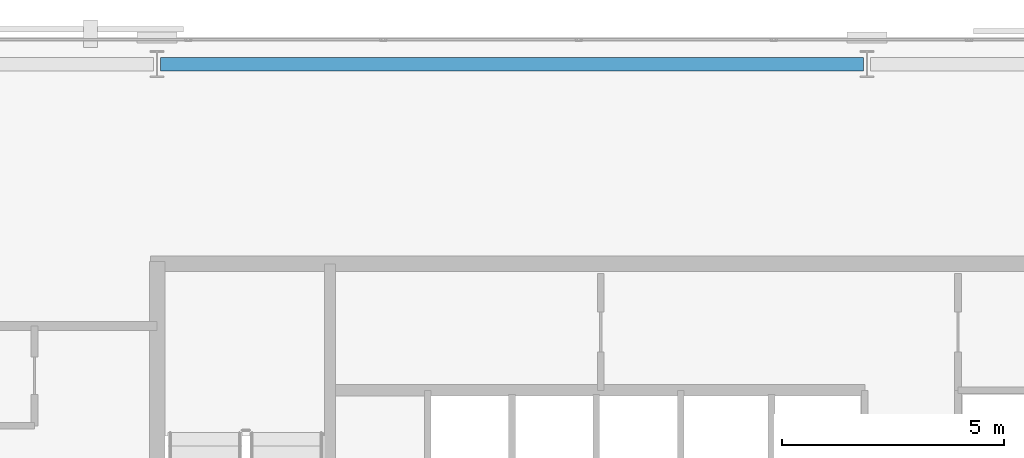
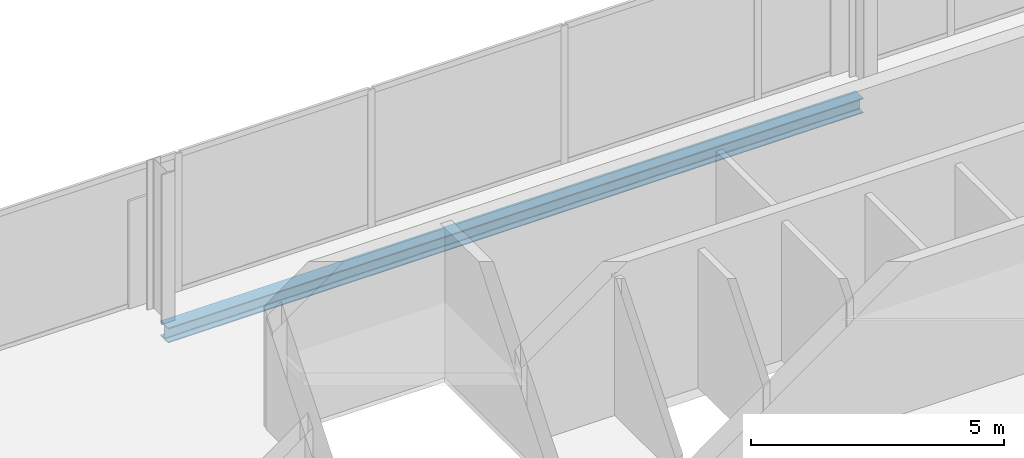
# One storey, part 21 of 33: 1 beam.
"""IFC4 building model written with IfcOpenShell, lengths in metres."""

from ifc_helpers import new_model, si_unit, direction, frame, origin, origin_2d, place, context, subcontext, project, spatial, i_section, extrude, material, material_profile, profile_set, type_object, element, save


model = new_model("IFC4")

# Units and contexts
model_context = context("Model", 3, precision=1e-05, world=origin(), true_north=direction((0.0, 1.0)))
body_context = subcontext(model_context, "Body", "Model", "MODEL_VIEW")
ifc_project = project(units=[si_unit("LENGTHUNIT", "METRE"), si_unit("AREAUNIT", "SQUARE_METRE"), si_unit("VOLUMEUNIT", "CUBIC_METRE"), si_unit("PLANEANGLEUNIT", "RADIAN"), si_unit("MASSUNIT", "GRAM", prefix="KILO")], contexts=[model_context])

# Site, building, storey
site_placement = place(None, origin())
site = spatial("IfcSite", under=ifc_project, at=site_placement, CompositionType="ELEMENT")
building_placement = place(site_placement, origin())
building = spatial("IfcBuilding", under=site, at=building_placement, Name="Catumbela Crestline Tower", CompositionType="ELEMENT")
storey_placement = place(building_placement, frame((0.0, 0.0, 118.8)))
storey = spatial("IfcBuildingStorey", under=building, at=storey_placement, Name="L30", CompositionType="ELEMENT", Elevation=118.8)

# Beam
ifc_material = material(Name="Structural steel S355J2", Category="steel")
ifc_material_profile = material_profile(ifc_material, i_section(OverallWidth=0.3, OverallDepth=0.36, WebThickness=0.0125, FlangeThickness=0.0225, FilletRadius=0.027, at=origin_2d()), Name="HEB 360")
ifc_profile_set = profile_set([ifc_material_profile], Name="Structural steel S355J2")
beam_type = type_object("IfcBeamType", Name="BS-HEB360", PredefinedType="SPANDREL", material=ifc_profile_set)
beam_placement = place(storey_placement, frame((16.08, 47.4, -0.44), z_axis=(1.0, 0.0, 0.0), x_axis=(0.0, 1.0, 0.0)))
element("IfcBeam", 1, at=beam_placement, inside=storey, type_object=beam_type, Name="L30 Spandrel SP-L30-NF19", PredefinedType="SPANDREL", context=body_context, shape_type="SweptSolid", body=[
    extrude(i_section(OverallWidth=0.3, OverallDepth=0.36, WebThickness=0.0125, FlangeThickness=0.0225, FilletRadius=0.027, at=origin_2d()), origin(), (0.0, 0.0, 1.0), 15.84),
])

save(model, "model.ifc")
